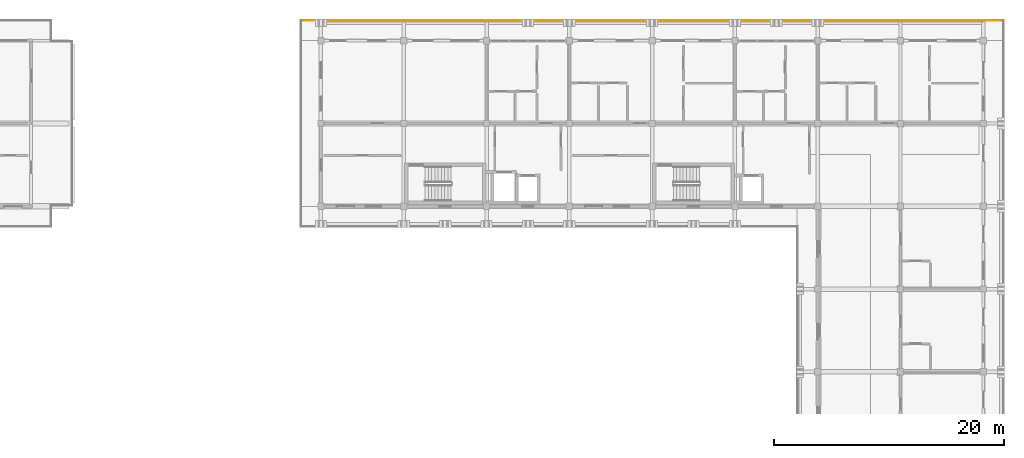
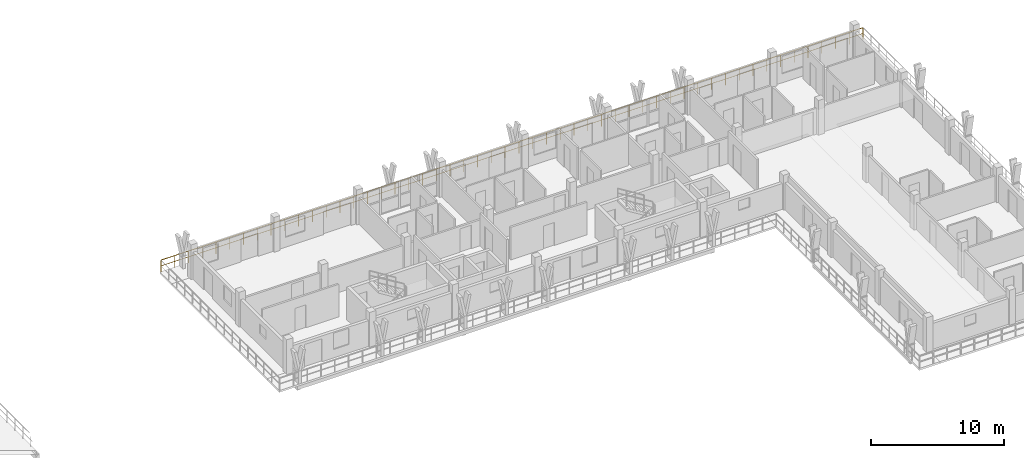
# One storey, part 67 of 67: 1 railing.
"""IFC4 building model written with IfcOpenShell, lengths in metres."""

from ifc_helpers import new_model, si_unit, direction, frame, origin, origin_2d, place, context, subcontext, project, spatial, rectangle, extrude, material, type_object, element, save


model = new_model("IFC4")

# Units and contexts
model_context = context("Model", 3, precision=1e-05, world=origin(), true_north=direction((0.0, 1.0)))
body_context = subcontext(model_context, "Body", "Model", "MODEL_VIEW")
ifc_project = project(units=[si_unit("LENGTHUNIT", "METRE"), si_unit("AREAUNIT", "SQUARE_METRE"), si_unit("VOLUMEUNIT", "CUBIC_METRE"), si_unit("PLANEANGLEUNIT", "RADIAN"), si_unit("MASSUNIT", "GRAM", prefix="KILO")], contexts=[model_context])

# Site, building, storey
site_placement = place(None, origin())
site = spatial("IfcSite", under=ifc_project, at=site_placement, CompositionType="ELEMENT")
building_placement = place(site_placement, origin())
building = spatial("IfcBuilding", under=site, at=building_placement, Name="Suanplinth Sawtooth Commons", CompositionType="ELEMENT")
storey_placement = place(building_placement, frame((0.0, 0.0, 25.10009765625)))
storey = spatial("IfcBuildingStorey", under=building, at=storey_placement, Name="L07", CompositionType="ELEMENT", Elevation=25.10009765625)

# Railing
ifc_material = material(Name="Powder-coated galvanized steel", Category="steel")
railing_type = type_object("IfcRailingType", Name="GR-01", PredefinedType="BALUSTRADE", material=ifc_material)
railing_placement = place(storey_placement, frame((127.860107421875, 124.139892578125, 0.0)))
element("IfcRailing", 1, at=railing_placement, inside=storey, type_object=railing_type, Name="L07 Block B Perimeter Balustrade 4", PredefinedType="BALUSTRADE", context=body_context, shape_type="SweptSolid", body=[
    extrude(rectangle(XDim=0.048095703125, YDim=0.048095703125, at=origin_2d()), frame((0.0, 0.0, 1.09619140625), z_axis=(1.0, 0.0, 0.0), x_axis=(0.0, 1.0, 0.0)), (0.0, 0.0, 1.0), 61.079833984375),
    extrude(rectangle(XDim=0.03369140625, YDim=0.03369140625, at=origin_2d()), frame((0.0, 0.0, 0.56005859375), z_axis=(1.0, 0.0, 0.0), x_axis=(0.0, 1.0, 0.0)), (0.0, 0.0, 1.0), 61.079833984375),
    extrude(rectangle(XDim=0.0419921875, YDim=0.0419921875, at=origin_2d()), origin(), (0.0, 0.0, 1.0), 1.072021484375),
    extrude(rectangle(XDim=0.0419921875, YDim=0.0419921875, at=origin_2d()), frame((1.19775390625, 0.0, 0.0)), (0.0, 0.0, 1.0), 1.072021484375),
    extrude(rectangle(XDim=0.0419921875, YDim=0.0419921875, at=origin_2d()), frame((2.395263671875, 0.0, 0.0)), (0.0, 0.0, 1.0), 1.072021484375),
    extrude(rectangle(XDim=0.0419921875, YDim=0.0419921875, at=origin_2d()), frame((3.593017578125, 0.0, 0.0)), (0.0, 0.0, 1.0), 1.072021484375),
    extrude(rectangle(XDim=0.0419921875, YDim=0.0419921875, at=origin_2d()), frame((4.79052734375, 0.0, 0.0)), (0.0, 0.0, 1.0), 1.072021484375),
    extrude(rectangle(XDim=0.0419921875, YDim=0.0419921875, at=origin_2d()), frame((5.98828125, 0.0, 0.0)), (0.0, 0.0, 1.0), 1.072021484375),
    extrude(rectangle(XDim=0.0419921875, YDim=0.0419921875, at=origin_2d()), frame((7.185791015625, 0.0, 0.0)), (0.0, 0.0, 1.0), 1.072021484375),
    extrude(rectangle(XDim=0.0419921875, YDim=0.0419921875, at=origin_2d()), frame((8.383544921875, 0.0, 0.0)), (0.0, 0.0, 1.0), 1.072021484375),
    extrude(rectangle(XDim=0.0419921875, YDim=0.0419921875, at=origin_2d()), frame((9.5810546875, 0.0, 0.0)), (0.0, 0.0, 1.0), 1.072021484375),
    extrude(rectangle(XDim=0.0419921875, YDim=0.0419921875, at=origin_2d()), frame((10.77880859375, 0.0, 0.0)), (0.0, 0.0, 1.0), 1.072021484375),
    extrude(rectangle(XDim=0.0419921875, YDim=0.0419921875, at=origin_2d()), frame((11.976318359375, 0.0, 0.0)), (0.0, 0.0, 1.0), 1.072021484375),
    extrude(rectangle(XDim=0.0419921875, YDim=0.0419921875, at=origin_2d()), frame((13.174072265625, 0.0, 0.0)), (0.0, 0.0, 1.0), 1.072021484375),
    extrude(rectangle(XDim=0.0419921875, YDim=0.0419921875, at=origin_2d()), frame((14.371826171875, 0.0, 0.0)), (0.0, 0.0, 1.0), 1.072021484375),
    extrude(rectangle(XDim=0.0419921875, YDim=0.0419921875, at=origin_2d()), frame((15.5693359375, 0.0, 0.0)), (0.0, 0.0, 1.0), 1.072021484375),
    extrude(rectangle(XDim=0.0419921875, YDim=0.0419921875, at=origin_2d()), frame((16.76708984375, 0.0, 0.0)), (0.0, 0.0, 1.0), 1.072021484375),
    extrude(rectangle(XDim=0.0419921875, YDim=0.0419921875, at=origin_2d()), frame((17.964599609375, 0.0, 0.0)), (0.0, 0.0, 1.0), 1.072021484375),
    extrude(rectangle(XDim=0.0419921875, YDim=0.0419921875, at=origin_2d()), frame((19.162353515625, 0.0, 0.0)), (0.0, 0.0, 1.0), 1.072021484375),
    extrude(rectangle(XDim=0.0419921875, YDim=0.0419921875, at=origin_2d()), frame((20.35986328125, 0.0, 0.0)), (0.0, 0.0, 1.0), 1.072021484375),
    extrude(rectangle(XDim=0.0419921875, YDim=0.0419921875, at=origin_2d()), frame((21.5576171875, 0.0, 0.0)), (0.0, 0.0, 1.0), 1.072021484375),
    extrude(rectangle(XDim=0.0419921875, YDim=0.0419921875, at=origin_2d()), frame((22.755126953125, 0.0, 0.0)), (0.0, 0.0, 1.0), 1.072021484375),
    extrude(rectangle(XDim=0.0419921875, YDim=0.0419921875, at=origin_2d()), frame((23.952880859375, 0.0, 0.0)), (0.0, 0.0, 1.0), 1.072021484375),
    extrude(rectangle(XDim=0.0419921875, YDim=0.0419921875, at=origin_2d()), frame((25.150634765625, 0.0, 0.0)), (0.0, 0.0, 1.0), 1.072021484375),
    extrude(rectangle(XDim=0.0419921875, YDim=0.0419921875, at=origin_2d()), frame((26.34814453125, 0.0, 0.0)), (0.0, 0.0, 1.0), 1.072021484375),
    extrude(rectangle(XDim=0.0419921875, YDim=0.0419921875, at=origin_2d()), frame((27.5458984375, 0.0, 0.0)), (0.0, 0.0, 1.0), 1.072021484375),
    extrude(rectangle(XDim=0.0419921875, YDim=0.0419921875, at=origin_2d()), frame((28.743408203125, 0.0, 0.0)), (0.0, 0.0, 1.0), 1.072021484375),
    extrude(rectangle(XDim=0.0419921875, YDim=0.0419921875, at=origin_2d()), frame((29.941162109375, 0.0, 0.0)), (0.0, 0.0, 1.0), 1.072021484375),
    extrude(rectangle(XDim=0.0419921875, YDim=0.0419921875, at=origin_2d()), frame((31.138671875, 0.0, 0.0)), (0.0, 0.0, 1.0), 1.072021484375),
    extrude(rectangle(XDim=0.0419921875, YDim=0.0419921875, at=origin_2d()), frame((32.33642578125, 0.0, 0.0)), (0.0, 0.0, 1.0), 1.072021484375),
    extrude(rectangle(XDim=0.0419921875, YDim=0.0419921875, at=origin_2d()), frame((33.533935546875, 0.0, 0.0)), (0.0, 0.0, 1.0), 1.072021484375),
    extrude(rectangle(XDim=0.0419921875, YDim=0.0419921875, at=origin_2d()), frame((34.731689453125, 0.0, 0.0)), (0.0, 0.0, 1.0), 1.072021484375),
    extrude(rectangle(XDim=0.0419921875, YDim=0.0419921875, at=origin_2d()), frame((35.92919921875, 0.0, 0.0)), (0.0, 0.0, 1.0), 1.072021484375),
    extrude(rectangle(XDim=0.0419921875, YDim=0.0419921875, at=origin_2d()), frame((37.126953125, 0.0, 0.0)), (0.0, 0.0, 1.0), 1.072021484375),
    extrude(rectangle(XDim=0.0419921875, YDim=0.0419921875, at=origin_2d()), frame((38.32470703125, 0.0, 0.0)), (0.0, 0.0, 1.0), 1.072021484375),
    extrude(rectangle(XDim=0.0419921875, YDim=0.0419921875, at=origin_2d()), frame((39.522216796875, 0.0, 0.0)), (0.0, 0.0, 1.0), 1.072021484375),
    extrude(rectangle(XDim=0.0419921875, YDim=0.0419921875, at=origin_2d()), frame((40.719970703125, 0.0, 0.0)), (0.0, 0.0, 1.0), 1.072021484375),
    extrude(rectangle(XDim=0.0419921875, YDim=0.0419921875, at=origin_2d()), frame((41.91748046875, 0.0, 0.0)), (0.0, 0.0, 1.0), 1.072021484375),
    extrude(rectangle(XDim=0.0419921875, YDim=0.0419921875, at=origin_2d()), frame((43.115234375, 0.0, 0.0)), (0.0, 0.0, 1.0), 1.072021484375),
    extrude(rectangle(XDim=0.0419921875, YDim=0.0419921875, at=origin_2d()), frame((44.312744140625, 0.0, 0.0)), (0.0, 0.0, 1.0), 1.072021484375),
    extrude(rectangle(XDim=0.0419921875, YDim=0.0419921875, at=origin_2d()), frame((45.510498046875, 0.0, 0.0)), (0.0, 0.0, 1.0), 1.072021484375),
    extrude(rectangle(XDim=0.0419921875, YDim=0.0419921875, at=origin_2d()), frame((46.7080078125, 0.0, 0.0)), (0.0, 0.0, 1.0), 1.072021484375),
    extrude(rectangle(XDim=0.0419921875, YDim=0.0419921875, at=origin_2d()), frame((47.90576171875, 0.0, 0.0)), (0.0, 0.0, 1.0), 1.072021484375),
    extrude(rectangle(XDim=0.0419921875, YDim=0.0419921875, at=origin_2d()), frame((49.103515625, 0.0, 0.0)), (0.0, 0.0, 1.0), 1.072021484375),
    extrude(rectangle(XDim=0.0419921875, YDim=0.0419921875, at=origin_2d()), frame((50.301025390625, 0.0, 0.0)), (0.0, 0.0, 1.0), 1.072021484375),
    extrude(rectangle(XDim=0.0419921875, YDim=0.0419921875, at=origin_2d()), frame((51.498779296875, 0.0, 0.0)), (0.0, 0.0, 1.0), 1.072021484375),
    extrude(rectangle(XDim=0.0419921875, YDim=0.0419921875, at=origin_2d()), frame((52.6962890625, 0.0, 0.0)), (0.0, 0.0, 1.0), 1.072021484375),
    extrude(rectangle(XDim=0.0419921875, YDim=0.0419921875, at=origin_2d()), frame((53.89404296875, 0.0, 0.0)), (0.0, 0.0, 1.0), 1.072021484375),
    extrude(rectangle(XDim=0.0419921875, YDim=0.0419921875, at=origin_2d()), frame((55.091552734375, 0.0, 0.0)), (0.0, 0.0, 1.0), 1.072021484375),
    extrude(rectangle(XDim=0.0419921875, YDim=0.0419921875, at=origin_2d()), frame((56.289306640625, 0.0, 0.0)), (0.0, 0.0, 1.0), 1.072021484375),
    extrude(rectangle(XDim=0.0419921875, YDim=0.0419921875, at=origin_2d()), frame((57.48681640625, 0.0, 0.0)), (0.0, 0.0, 1.0), 1.072021484375),
    extrude(rectangle(XDim=0.0419921875, YDim=0.0419921875, at=origin_2d()), frame((58.6845703125, 0.0, 0.0)), (0.0, 0.0, 1.0), 1.072021484375),
    extrude(rectangle(XDim=0.0419921875, YDim=0.0419921875, at=origin_2d()), frame((59.882080078125, 0.0, 0.0)), (0.0, 0.0, 1.0), 1.072021484375),
    extrude(rectangle(XDim=0.0419921875, YDim=0.0419921875, at=origin_2d()), frame((61.079833984375, 0.0, 0.0)), (0.0, 0.0, 1.0), 1.072021484375),
])

save(model, "model.ifc")
